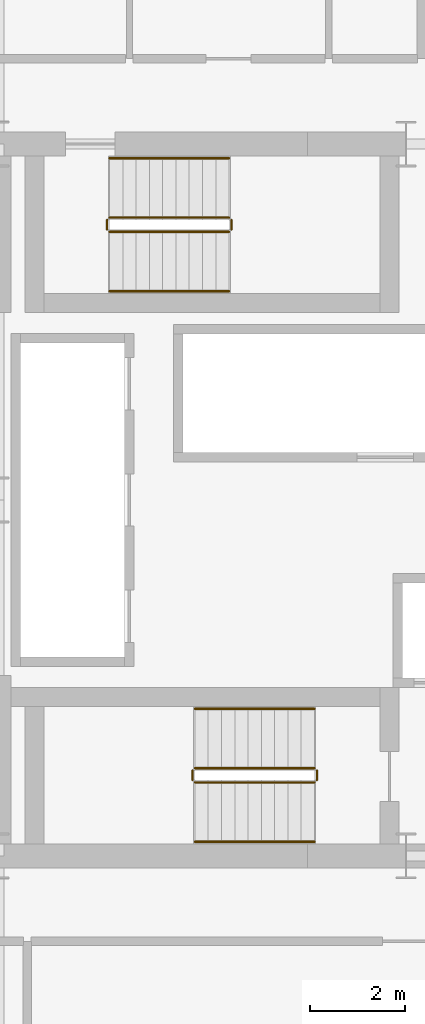
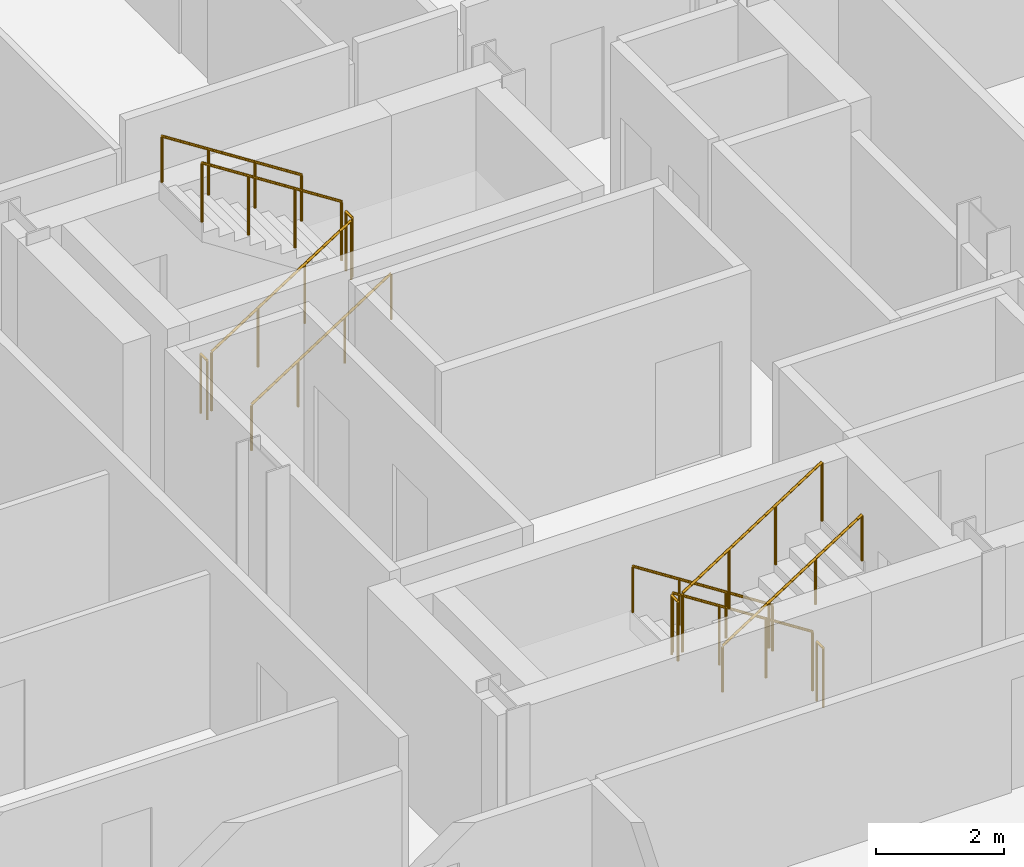
# One storey, part 26 of 27: 12 railings.
"""IFC4 building model written with IfcOpenShell, lengths in metres."""

from ifc_helpers import new_model, si_unit, direction, frame, origin, origin_2d, place, context, subcontext, project, spatial, circle, extrude, material, type_object, element, save


model = new_model("IFC4")

# Units and contexts
model_context = context("Model", 3, precision=1e-05, world=origin(), true_north=direction((0.0, 1.0)))
body_context = subcontext(model_context, "Body", "Model", "MODEL_VIEW")
ifc_project = project(units=[si_unit("LENGTHUNIT", "METRE"), si_unit("AREAUNIT", "SQUARE_METRE"), si_unit("VOLUMEUNIT", "CUBIC_METRE"), si_unit("PLANEANGLEUNIT", "RADIAN"), si_unit("MASSUNIT", "GRAM", prefix="KILO")], contexts=[model_context])

# Site, building, storey
site_placement = place(None, origin())
site = spatial("IfcSite", under=ifc_project, at=site_placement, CompositionType="ELEMENT")
building_placement = place(site_placement, origin())
building = spatial("IfcBuilding", under=site, at=building_placement, Name="Barlavira Tower and Art Museum", CompositionType="ELEMENT")
storey_placement = place(building_placement, frame((0.0, 0.0, 61.199951171875)))
storey = spatial("IfcBuildingStorey", under=building, at=storey_placement, Name="L14", CompositionType="ELEMENT", Elevation=61.199951171875)

# Railings
ifc_material = material(Name="Brushed stainless steel", Category="steel")
railing_type_1 = type_object("IfcRailingType", Name="Interior Void and Landing Guard Railing 1150", PredefinedType="GUARDRAIL", material=ifc_material)
railing_1_placement = place(storey_placement, frame((0.14990234375, -5.64990234375, 0.179931640625)))
element("IfcRailing", 1, at=railing_1_placement, inside=storey, type_object=railing_type_1, Name="L14 ST-T1 stair guard 1", PredefinedType="GUARDRAIL", context=body_context, shape_type="SweptSolid", body=[
    extrude(circle(Radius=0.02392578125, at=origin_2d()), frame((0.0, 0.0, 1.1259765625), z_axis=(-0.841162588446, 0.0, 0.540782303519), x_axis=(0.0, -1.0, 0.0)), (0.0, 0.0, 1.0), 2.995849609375),
    extrude(circle(Radius=0.02099609375, at=origin_2d()), origin(), (0.0, 0.0, 1.0), 1.101806640625),
    extrude(circle(Radius=0.02099609375, at=origin_2d()), frame((-0.840087890625, 0.0, 0.5400390625)), (0.0, 0.0, 1.0), 1.101806640625),
    extrude(circle(Radius=0.02099609375, at=origin_2d()), frame((-1.679931640625, 0.0, 1.080078125)), (0.0, 0.0, 1.0), 1.101806640625),
    extrude(circle(Radius=0.02099609375, at=origin_2d()), frame((-2.52001953125, 0.0, 1.6201171875)), (0.0, 0.0, 1.0), 1.101806640625),
])
railing_2_placement = place(storey_placement, frame((-2.419921875, -5.699951171875, 1.800048828125)))
element("IfcRailing", 2, at=railing_2_placement, inside=storey, type_object=railing_type_1, Name="L14 ST-T1 stair guard 2", PredefinedType="GUARDRAIL", context=body_context, shape_type="SweptSolid", body=[
    extrude(circle(Radius=0.02392578125, at=origin_2d()), frame((0.0, 0.0, 1.1259765625), z_axis=(0.0, -1.0, 0.0), x_axis=(1.0, 0.0, 0.0)), (0.0, 0.0, 1.0), 0.199951171875),
    extrude(circle(Radius=0.02099609375, at=origin_2d()), origin(), (0.0, 0.0, 1.0), 1.101806640625),
    extrude(circle(Radius=0.02099609375, at=origin_2d()), frame((0.0, -0.199951171875, 0.0)), (0.0, 0.0, 1.0), 1.101806640625),
])
railing_3_placement = place(storey_placement, frame((-2.3701171875, -5.949951171875, 1.97998046875)))
element("IfcRailing", 3, at=railing_3_placement, inside=storey, type_object=railing_type_1, Name="L14 ST-T1 stair guard 3", PredefinedType="GUARDRAIL", context=body_context, shape_type="SweptSolid", body=[
    extrude(circle(Radius=0.02392578125, at=origin_2d()), frame((0.0, 0.0, 1.1259765625), z_axis=(0.841162588446, 0.0, 0.540782303519), x_axis=(0.0, 1.0, 0.0)), (0.0, 0.0, 1.0), 2.995849609375),
    extrude(circle(Radius=0.02099609375, at=origin_2d()), origin(), (0.0, 0.0, 1.0), 1.101806640625),
    extrude(circle(Radius=0.02099609375, at=origin_2d()), frame((0.840087890625, 0.0, 0.5400390625)), (0.0, 0.0, 1.0), 1.101806640625),
    extrude(circle(Radius=0.02099609375, at=origin_2d()), frame((1.679931640625, 0.0, 1.080078125)), (0.0, 0.0, 1.0), 1.101806640625),
    extrude(circle(Radius=0.02099609375, at=origin_2d()), frame((2.52001953125, 0.0, 1.6201171875)), (0.0, 0.0, 1.0), 1.101806640625),
])
railing_4_placement = place(storey_placement, frame((0.199951171875, -5.699951171875, 0.0)))
element("IfcRailing", 4, at=railing_4_placement, inside=storey, type_object=railing_type_1, Name="L14 ST-T1 stair guard 4", PredefinedType="GUARDRAIL", context=body_context, shape_type="SweptSolid", body=[
    extrude(circle(Radius=0.02392578125, at=origin_2d()), frame((0.0, 0.0, 1.1259765625), z_axis=(0.0, -1.0, 0.0), x_axis=(1.0, 0.0, 0.0)), (0.0, 0.0, 1.0), 0.199951171875),
    extrude(circle(Radius=0.02099609375, at=origin_2d()), origin(), (0.0, 0.0, 1.0), 1.101806640625),
    extrude(circle(Radius=0.02099609375, at=origin_2d()), frame((0.0, -0.199951171875, 0.0)), (0.0, 0.0, 1.0), 1.101806640625),
])
railing_5_placement = place(storey_placement, frame((-4.169921875, 5.64990234375, 0.179931640625)))
element("IfcRailing", 5, at=railing_5_placement, inside=storey, type_object=railing_type_1, Name="L14 ST-T2 stair guard 1", PredefinedType="GUARDRAIL", context=body_context, shape_type="SweptSolid", body=[
    extrude(circle(Radius=0.02392578125, at=origin_2d()), frame((0.0, 0.0, 1.1259765625), z_axis=(0.841162588446, 0.0, 0.540782303519), x_axis=(0.0, 1.0, 0.0)), (0.0, 0.0, 1.0), 2.995849609375),
    extrude(circle(Radius=0.02099609375, at=origin_2d()), origin(), (0.0, 0.0, 1.0), 1.101806640625),
    extrude(circle(Radius=0.02099609375, at=origin_2d()), frame((0.840087890625, 0.0, 0.5400390625)), (0.0, 0.0, 1.0), 1.101806640625),
    extrude(circle(Radius=0.02099609375, at=origin_2d()), frame((1.679931640625, 0.0, 1.080078125)), (0.0, 0.0, 1.0), 1.101806640625),
    extrude(circle(Radius=0.02099609375, at=origin_2d()), frame((2.52001953125, 0.0, 1.6201171875)), (0.0, 0.0, 1.0), 1.101806640625),
])
railing_6_placement = place(storey_placement, frame((-1.60009765625, 5.699951171875, 1.800048828125)))
element("IfcRailing", 6, at=railing_6_placement, inside=storey, type_object=railing_type_1, Name="L14 ST-T2 stair guard 2", PredefinedType="GUARDRAIL", context=body_context, shape_type="SweptSolid", body=[
    extrude(circle(Radius=0.02392578125, at=origin_2d()), frame((0.0, 0.0, 1.1259765625), z_axis=(0.0, 1.0, 0.0), x_axis=(-1.0, 0.0, 0.0)), (0.0, 0.0, 1.0), 0.199951171875),
    extrude(circle(Radius=0.02099609375, at=origin_2d()), origin(), (0.0, 0.0, 1.0), 1.101806640625),
    extrude(circle(Radius=0.02099609375, at=origin_2d()), frame((0.0, 0.199951171875, 0.0)), (0.0, 0.0, 1.0), 1.101806640625),
])
railing_7_placement = place(storey_placement, frame((-1.64990234375, 5.949951171875, 1.97998046875)))
element("IfcRailing", 7, at=railing_7_placement, inside=storey, type_object=railing_type_1, Name="L14 ST-T2 stair guard 3", PredefinedType="GUARDRAIL", context=body_context, shape_type="SweptSolid", body=[
    extrude(circle(Radius=0.02392578125, at=origin_2d()), frame((0.0, 0.0, 1.1259765625), z_axis=(-0.841162588446, 0.0, 0.540782303519), x_axis=(0.0, -1.0, 0.0)), (0.0, 0.0, 1.0), 2.995849609375),
    extrude(circle(Radius=0.02099609375, at=origin_2d()), origin(), (0.0, 0.0, 1.0), 1.101806640625),
    extrude(circle(Radius=0.02099609375, at=origin_2d()), frame((-0.840087890625, 0.0, 0.5400390625)), (0.0, 0.0, 1.0), 1.101806640625),
    extrude(circle(Radius=0.02099609375, at=origin_2d()), frame((-1.679931640625, 0.0, 1.080078125)), (0.0, 0.0, 1.0), 1.101806640625),
    extrude(circle(Radius=0.02099609375, at=origin_2d()), frame((-2.52001953125, 0.0, 1.6201171875)), (0.0, 0.0, 1.0), 1.101806640625),
])
railing_8_placement = place(storey_placement, frame((-4.219970703125, 5.699951171875, 0.0)))
element("IfcRailing", 8, at=railing_8_placement, inside=storey, type_object=railing_type_1, Name="L14 ST-T2 stair guard 4", PredefinedType="GUARDRAIL", context=body_context, shape_type="SweptSolid", body=[
    extrude(circle(Radius=0.02392578125, at=origin_2d()), frame((0.0, 0.0, 1.1259765625), z_axis=(0.0, 1.0, 0.0), x_axis=(-1.0, 0.0, 0.0)), (0.0, 0.0, 1.0), 0.199951171875),
    extrude(circle(Radius=0.02099609375, at=origin_2d()), origin(), (0.0, 0.0, 1.0), 1.101806640625),
    extrude(circle(Radius=0.02099609375, at=origin_2d()), frame((0.0, 0.199951171875, 0.0)), (0.0, 0.0, 1.0), 1.101806640625),
])
railing_type_2 = type_object("IfcRailingType", Name="Stair Pitch Tubular Steel Handrail 920", PredefinedType="HANDRAIL", material=ifc_material)
railing_9_placement = place(storey_placement, frame((0.14990234375, -4.39990234375, 0.179931640625)))
element("IfcRailing", 9, at=railing_9_placement, inside=storey, type_object=railing_type_2, Name="L14 ST-T1 stair handrail 1", PredefinedType="HANDRAIL", context=body_context, shape_type="SweptSolid", body=[
    extrude(circle(Radius=0.02392578125, at=origin_2d()), frame((0.0, 0.0, 0.8759765625), z_axis=(-0.841162588446, 0.0, 0.540782303519), x_axis=(0.0, -1.0, 0.0)), (0.0, 0.0, 1.0), 2.995849609375),
    extrude(circle(Radius=0.02099609375, at=origin_2d()), origin(), (0.0, 0.0, 1.0), 0.851806640625),
    extrude(circle(Radius=0.02099609375, at=origin_2d()), frame((-0.840087890625, 0.0, 0.5400390625)), (0.0, 0.0, 1.0), 0.851806640625),
    extrude(circle(Radius=0.02099609375, at=origin_2d()), frame((-1.679931640625, 0.0, 1.080078125)), (0.0, 0.0, 1.0), 0.851806640625),
    extrude(circle(Radius=0.02099609375, at=origin_2d()), frame((-2.52001953125, 0.0, 1.6201171875)), (0.0, 0.0, 1.0), 0.851806640625),
])
for number, where, name in (
    (10, (-2.3701171875, -7.199951171875, 1.97998046875), "L14 ST-T1 stair handrail 2"),
    (11, (-4.169921875, 4.39990234375, 0.179931640625), "L14 ST-T2 stair handrail 1"),
):
    element("IfcRailing", number, at=place(storey_placement, frame(where)), inside=storey, type_object=railing_type_2, Name=name, PredefinedType="HANDRAIL", context=body_context, shape_type="SweptSolid", body=[
        extrude(circle(Radius=0.02392578125, at=origin_2d()), frame((0.0, 0.0, 0.8759765625), z_axis=(0.841162588446, 0.0, 0.540782303519), x_axis=(0.0, 1.0, 0.0)), (0.0, 0.0, 1.0), 2.995849609375),
        extrude(circle(Radius=0.02099609375, at=origin_2d()), origin(), (0.0, 0.0, 1.0), 0.851806640625),
        extrude(circle(Radius=0.02099609375, at=origin_2d()), frame((0.840087890625, 0.0, 0.5400390625)), (0.0, 0.0, 1.0), 0.851806640625),
        extrude(circle(Radius=0.02099609375, at=origin_2d()), frame((1.679931640625, 0.0, 1.080078125)), (0.0, 0.0, 1.0), 0.851806640625),
        extrude(circle(Radius=0.02099609375, at=origin_2d()), frame((2.52001953125, 0.0, 1.6201171875)), (0.0, 0.0, 1.0), 0.851806640625),
    ])
railing_10_placement = place(storey_placement, frame((-1.64990234375, 7.199951171875, 1.97998046875)))
element("IfcRailing", 12, at=railing_10_placement, inside=storey, type_object=railing_type_2, Name="L14 ST-T2 stair handrail 2", PredefinedType="HANDRAIL", context=body_context, shape_type="SweptSolid", body=[
    extrude(circle(Radius=0.02392578125, at=origin_2d()), frame((0.0, 0.0, 0.8759765625), z_axis=(-0.841162588446, 0.0, 0.540782303519), x_axis=(0.0, -1.0, 0.0)), (0.0, 0.0, 1.0), 2.995849609375),
    extrude(circle(Radius=0.02099609375, at=origin_2d()), origin(), (0.0, 0.0, 1.0), 0.851806640625),
    extrude(circle(Radius=0.02099609375, at=origin_2d()), frame((-0.840087890625, 0.0, 0.5400390625)), (0.0, 0.0, 1.0), 0.851806640625),
    extrude(circle(Radius=0.02099609375, at=origin_2d()), frame((-1.679931640625, 0.0, 1.080078125)), (0.0, 0.0, 1.0), 0.851806640625),
    extrude(circle(Radius=0.02099609375, at=origin_2d()), frame((-2.52001953125, 0.0, 1.6201171875)), (0.0, 0.0, 1.0), 0.851806640625),
])

save(model, "model.ifc")
